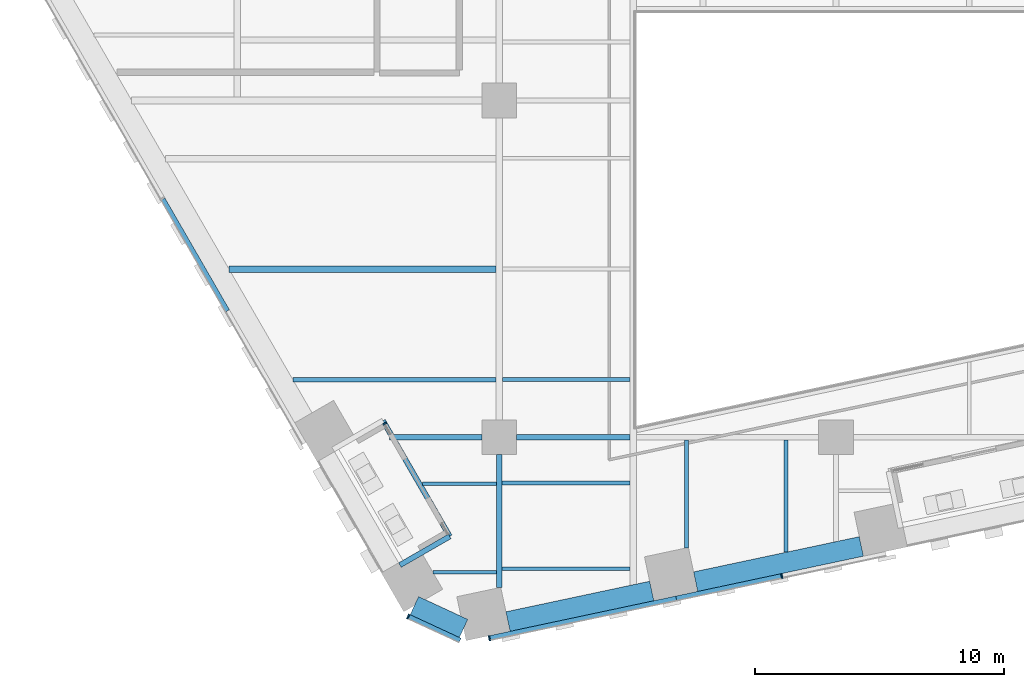
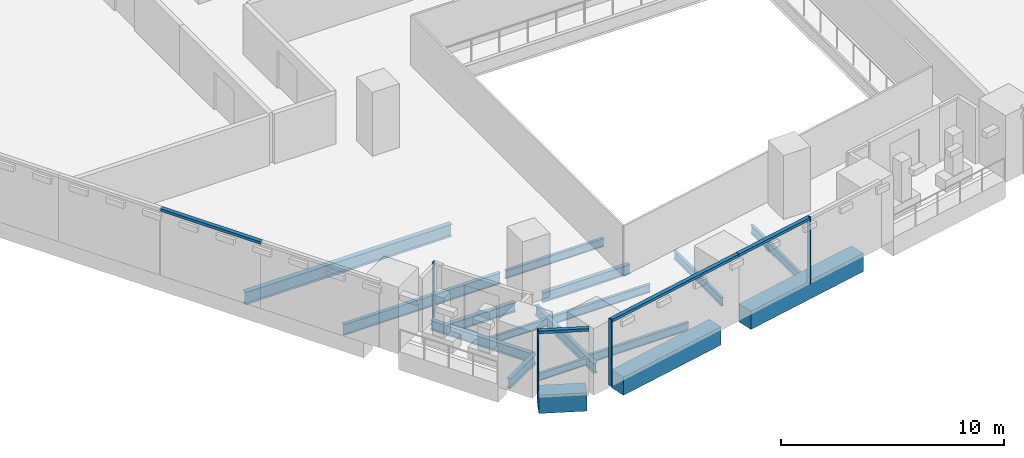
# One storey, part 2 of 31: 17 beams, 8 members, 4 elements without a shape of their own.
"""IFC4 building model written with IfcOpenShell, lengths in metres."""

import ifcopenshell
import ifcopenshell.guid

model = None  # the IFC model being written
_history = None  # IfcOwnerHistory: only IFC2X3 demands one
_inside = {}  # id of a spatial element -> (the spatial element, [elements in it])
_under = {}  # id of a project, library or spatial element -> (it, [spatial elements below it])
_declared = {}  # id of a project -> (the project, [libraries it declares])
_typed = {}  # id of a type object -> (the type object, [elements of that type])
_made_of = {}  # id of a material, layer set ... -> (it, [elements and type objects made of it])


def new_model(schema):
    """Start an empty IFC model of exactly this schema.

    Asked for "IFC4X3", IfcOpenShell would pick the latest addendum, in which some entities
    have other attributes; the version numbers below select the first issue.
    IFC2X3 requires an IfcOwnerHistory on every rooted entity: one is made here for all.
    """
    global model, _history
    if schema == "IFC4X3":
        model = ifcopenshell.file(schema_version=(4, 3, 0, 0))
    else:
        model = ifcopenshell.file(schema=schema)
    _inside.clear()
    _under.clear()
    _declared.clear()
    _typed.clear()
    _made_of.clear()
    _history = None
    if model.schema == "IFC2X3":
        org = make("IfcOrganization", Name="unknown")
        user = make(
            "IfcPersonAndOrganization",
            ThePerson=make("IfcPerson", FamilyName="unknown"),
            TheOrganization=org,
        )
        app = make(
            "IfcApplication",
            ApplicationDeveloper=org,
            Version="unknown",
            ApplicationFullName="unknown",
            ApplicationIdentifier="unknown",
        )
        _history = make(
            "IfcOwnerHistory",
            OwningUser=user,
            OwningApplication=app,
            ChangeAction="ADDED",
            CreationDate=0,
        )
    return model


def make(cls, **values):
    """One entity of the class cls with the attributes given. An attribute that is None is left unset."""
    return model.create_entity(
        cls, **{name: value for name, value in values.items() if value is not None}
    )


def rooted(cls, **values):
    """An entity with a GlobalId (a new one), such as an element, a storey or a relation."""
    return make(cls, GlobalId=ifcopenshell.guid.new(), OwnerHistory=_history, **values)


def si_unit(unit_type, name, prefix=None):
    """IfcSIUnit, for example si_unit("LENGTHUNIT", "METRE", prefix="MILLI")."""
    return make("IfcSIUnit", UnitType=unit_type, Prefix=prefix, Name=name)


def assignment(units):
    """IfcUnitAssignment: the units of a project."""
    return None if units is None else make("IfcUnitAssignment", Units=units)


def point(xyz):
    """IfcCartesianPoint."""
    return None if xyz is None else make("IfcCartesianPoint", Coordinates=xyz)


def direction(xyz):
    """IfcDirection."""
    return None if xyz is None else make("IfcDirection", DirectionRatios=xyz)


def frame(location, z_axis=None, x_axis=None):
    """IfcAxis2Placement3D, a coordinate frame: its origin and axes. An axis left out is left unset."""
    return make(
        "IfcAxis2Placement3D",
        Location=point(location),
        Axis=direction(z_axis),
        RefDirection=direction(x_axis),
    )


def frame_2d(location, x_axis=None):
    """IfcAxis2Placement2D, a coordinate frame in the plane: its origin and x axis."""
    return make(
        "IfcAxis2Placement2D", Location=point(location), RefDirection=direction(x_axis)
    )


def origin():
    """The frame at (0, 0, 0) with its axes left unset."""
    return frame((0.0, 0.0, 0.0))


def origin_2d():
    """The frame at (0, 0) in the plane with its x axis left unset."""
    return frame_2d((0.0, 0.0))


def place(relative_to, where):
    """IfcLocalPlacement: puts the frame where relative to a parent placement (None: the world)."""
    return make(
        "IfcLocalPlacement", PlacementRelTo=relative_to, RelativePlacement=where
    )


def context(
    kind, dimensions, precision=None, world=None, true_north=None, identifier=None
):
    """IfcGeometricRepresentationContext, for example the 3D "Model" context."""
    return make(
        "IfcGeometricRepresentationContext",
        ContextIdentifier=identifier,
        ContextType=kind,
        CoordinateSpaceDimension=dimensions,
        Precision=precision,
        WorldCoordinateSystem=world,
        TrueNorth=true_north,
    )


def subcontext(parent, identifier, kind, view, scale=None):
    """IfcGeometricRepresentationSubContext, for example "Body" below "Model"."""
    return make(
        "IfcGeometricRepresentationSubContext",
        ContextIdentifier=identifier,
        ContextType=kind,
        ParentContext=parent,
        TargetScale=scale,
        TargetView=view,
    )


def project(units=None, contexts=None):
    """IfcProject with its units and contexts."""
    return rooted(
        "IfcProject",
        Name="project",
        RepresentationContexts=contexts,
        UnitsInContext=assignment(units),
    )


def spatial(cls, under=None, at=None, **own):
    """A site, building, storey or space (cls), placed at a placement, below another one or the project."""
    s = rooted(cls, ObjectPlacement=at, **own)
    if under is not None:
        _under.setdefault(under.id(), (under, []))[1].append(s)
    return s


def profile(cls, at=None, kind="AREA", **sizes):
    """A parametric profile (cls). Its sizes go by their IFC names, for example OverallWidth=200.0."""
    return make(cls, ProfileType=kind, Position=at, **sizes)


def rectangle(**sizes):
    """IfcRectangleProfileDef."""
    return profile("IfcRectangleProfileDef", **sizes)


def i_section(**sizes):
    """IfcIShapeProfileDef."""
    return profile("IfcIShapeProfileDef", **sizes)


def extrude(swept, where, along, depth):
    """IfcExtrudedAreaSolid: the profile swept, set in the frame where, extruded along a direction by depth."""
    return make(
        "IfcExtrudedAreaSolid",
        SweptArea=swept,
        Position=where,
        ExtrudedDirection=direction(along),
        Depth=depth,
    )


def shape(context_of_items, identifier, shape_type, items):
    """IfcShapeRepresentation: the items that make up one representation, for example the "Body"."""
    return make(
        "IfcShapeRepresentation",
        ContextOfItems=context_of_items,
        RepresentationIdentifier=identifier,
        RepresentationType=shape_type,
        Items=items,
    )


def material(Name=None, Category=None):
    """IfcMaterial."""
    return make("IfcMaterial", Name=Name, Category=Category)


def layer(
    of_material, thickness, ventilated=None, Name=None, Category=None, Priority=None
):
    """IfcMaterialLayer: one layer of a wall or slab, of a material (None: an air gap)."""
    return make(
        "IfcMaterialLayer",
        Material=of_material,
        LayerThickness=thickness,
        IsVentilated=ventilated,
        Name=Name,
        Category=Category,
        Priority=Priority,
    )


def layer_set(layers, Name=None):
    """IfcMaterialLayerSet."""
    return make("IfcMaterialLayerSet", MaterialLayers=layers, LayerSetName=Name)


def material_profile(
    of_material, cross_section, Name=None, Category=None, Priority=None
):
    """IfcMaterialProfile: a cross section and its material."""
    return make(
        "IfcMaterialProfile",
        Name=Name,
        Material=of_material,
        Profile=cross_section,
        Priority=Priority,
        Category=Category,
    )


def profile_set(profiles, Name=None, composite=None):
    """IfcMaterialProfileSet."""
    return make(
        "IfcMaterialProfileSet",
        Name=Name,
        MaterialProfiles=profiles,
        CompositeProfile=composite,
    )


def made_of(thing, what):
    """Note that an element or type object is made of a material, layer set ...; save() writes the relation."""
    if what is not None:
        _made_of.setdefault(what.id(), (what, []))[1].append(thing)
    return thing


def type_object(cls, material=None, **own):
    """A type object (cls), such as IfcWallType, which elements share."""
    return made_of(rooted(cls, **own), material)


def element(
    cls,
    number,
    at=None,
    inside=None,
    cuts=None,
    type_object=None,
    material=None,
    context=None,
    identifier="Body",
    shape_type=None,
    held_by="IfcProductDefinitionShape",
    body=None,
    shapes=None,
    **own,
):
    """One element of the class cls, such as IfcWall. Its Tag is "e" and its number.

    at: its placement. inside: the storey or other place that contains it. cuts: it is an
    opening in that element (IfcRelVoidsElement). A single representation is given by context,
    identifier, shape_type and body (its items); several are given by shapes. held_by: the class
    of the entity that holds the representations. save() writes the other relations.
    """
    e = rooted(cls, Tag="e%d" % number, ObjectPlacement=at, **own)
    if body is not None:
        shapes = [shape(context, identifier, shape_type, body)]
    if shapes is not None:
        e.Representation = make(held_by, Representations=shapes)
    if inside is not None:
        _inside.setdefault(inside.id(), (inside, []))[1].append(e)
    if cuts is not None:
        rooted(
            "IfcRelVoidsElement", RelatingBuildingElement=cuts, RelatedOpeningElement=e
        )
    if type_object is not None:
        _typed.setdefault(type_object.id(), (type_object, []))[1].append(e)
    return made_of(e, material)


def aggregate(whole, parts):
    """IfcRelAggregates: a whole, such as a stair, and the parts it consists of."""
    return rooted("IfcRelAggregates", RelatingObject=whole, RelatedObjects=parts)


def save(model, path):
    """Write the relations noted so far, then the file.

    IfcRelAggregates (storeys below a building ...), IfcRelContainedInSpatialStructure (elements
    in a storey), IfcRelDefinesByType, IfcRelAssociatesMaterial and IfcRelDeclares: one each for
    every whole, place, type object, material and project.
    """
    for whole, parts in _under.values():
        aggregate(whole, parts)
    for where, things in _inside.values():
        rooted(
            "IfcRelContainedInSpatialStructure",
            RelatedElements=things,
            RelatingStructure=where,
        )
    for kind, things in _typed.values():
        rooted("IfcRelDefinesByType", RelatedObjects=things, RelatingType=kind)
    for what, things in _made_of.values():
        rooted("IfcRelAssociatesMaterial", RelatedObjects=things, RelatingMaterial=what)
    for by, libraries in _declared.values():
        rooted("IfcRelDeclares", RelatingContext=by, RelatedDefinitions=libraries)
    model.write(path)


model = new_model("IFC4")

# Units and contexts
model_context = context("Model", 3, precision=1e-05, world=origin(), true_north=direction((0.0, 1.0)))
body_context = subcontext(model_context, "Body", "Model", "MODEL_VIEW")
ifc_project = project(units=[si_unit("LENGTHUNIT", "METRE"), si_unit("AREAUNIT", "SQUARE_METRE"), si_unit("VOLUMEUNIT", "CUBIC_METRE"), si_unit("PLANEANGLEUNIT", "RADIAN"), si_unit("MASSUNIT", "GRAM", prefix="KILO")], contexts=[model_context])

# Site, building, storey
site_placement = place(None, origin())
site = spatial("IfcSite", under=ifc_project, at=site_placement, CompositionType="ELEMENT")
building_placement = place(site_placement, origin())
building = spatial("IfcBuilding", under=site, at=building_placement, Name="Isthmus Gate Tower", CompositionType="ELEMENT")
storey_placement = place(building_placement, frame((0.0, 0.0, 39.64990234375)))
storey = spatial("IfcBuildingStorey", under=building, at=storey_placement, Name="L07", CompositionType="ELEMENT", Elevation=39.64990234375)

# Curtain wall, member
ifc_material_1 = material(Name="Aluminium, pale champagne anodised", Category="aluminium")
ifc_layer_1 = layer(ifc_material_1, 0.199951171875)
ifc_layer_set_1 = layer_set([ifc_layer_1], Name="CW-1 UNITISED CURTAIN WALL 200 DEEP")
curtain_wall_type_1 = type_object("IfcCurtainWallType", Name="CW-1 UNITISED CURTAIN WALL 200 DEEP", PredefinedType="NOTDEFINED", material=ifc_layer_set_1)
curtain_wall_1_placement = place(storey_placement, origin())
curtain_wall_1 = element("IfcCurtainWall", 1, at=curtain_wall_1_placement, inside=storey, type_object=curtain_wall_type_1, Name="CW-1 SW-S L07", PredefinedType="NOTDEFINED")
ifc_material_2 = material(Name="Aluminium, pale champagne anodised", Category="aluminium")
ifc_material_profile_1 = material_profile(ifc_material_2, rectangle(XDim=0.06005859375, YDim=0.199951171875, at=origin_2d()), Name="60x200")
ifc_profile_set_1 = profile_set([ifc_material_profile_1], Name="Aluminium, pale champagne anodised")
member_type_1 = type_object("IfcMemberType", Name="CW-1 MULLION 60 X 200", PredefinedType="MULLION", material=ifc_profile_set_1)
member_1_placement = place(storey_placement, frame((-17.14794921875, -34.184814453125, 0.0), z_axis=(0.0, 0.0, 1.0), x_axis=(0.907256261367, -0.420578264073, 0.0)))
member_1 = element("IfcMember", 2, at=member_1_placement, type_object=member_type_1, Name="CW-1 mullion", PredefinedType="MULLION", context=body_context, shape_type="SweptSolid", body=[
    extrude(rectangle(XDim=0.06005859375, YDim=0.199951171875, at=origin_2d()), origin(), (0.0, 0.0, 1.0), 3.650146484375),
])

# Curtain wall, members
curtain_wall_2_placement = place(storey_placement, origin())
curtain_wall_2 = element("IfcCurtainWall", 3, at=curtain_wall_2_placement, inside=storey, type_object=curtain_wall_type_1, Name="CW-1 S L07", PredefinedType="NOTDEFINED")
member_2_placement = place(storey_placement, frame((-13.89501953125, -35.0556640625, 0.0), z_axis=(0.0, 0.0, 1.0), x_axis=(0.978147600734, 0.207911690818, 0.0)))
member_2 = element("IfcMember", 4, at=member_2_placement, type_object=member_type_1, Name="CW-1 mullion", PredefinedType="MULLION", context=body_context, shape_type="SweptSolid", body=[
    extrude(rectangle(XDim=0.06005859375, YDim=0.199951171875, at=origin_2d()), origin(), (0.0, 0.0, 1.0), 3.650146484375),
])
member_3_placement = place(storey_placement, frame((-2.1728515625, -32.564208984375, 0.0), z_axis=(0.0, 0.0, 1.0), x_axis=(0.978147600734, 0.207911690818, 0.0)))
member_3 = element("IfcMember", 5, at=member_3_placement, type_object=member_type_1, Name="CW-1 mullion", PredefinedType="MULLION", context=body_context, shape_type="SweptSolid", body=[
    extrude(rectangle(XDim=0.06005859375, YDim=0.199951171875, at=origin_2d()), origin(), (0.0, 0.0, 1.0), 3.650146484375),
])

# Curtain wall, member
curtain_wall_3_placement = place(storey_placement, origin())
curtain_wall_3 = element("IfcCurtainWall", 6, at=curtain_wall_3_placement, inside=storey, type_object=curtain_wall_type_1, Name="CW-1 SW L07", PredefinedType="NOTDEFINED")
ifc_material_3 = material(Name="Aluminium, pale champagne anodised", Category="aluminium")
ifc_material_profile_2 = material_profile(ifc_material_3, rectangle(XDim=0.199951171875, YDim=0.14990234375, at=origin_2d()), Name="200x150")
ifc_profile_set_2 = profile_set([ifc_material_profile_2], Name="Aluminium, pale champagne anodised")
member_type_2 = type_object("IfcMemberType", Name="CW-1 TRANSOM 200 X 150", PredefinedType="USERDEFINED", material=ifc_profile_set_2)
member_4_placement = place(storey_placement, frame((-26.98681640625, -17.45751953125, 3.5751953125), z_axis=(0.49999612508, -0.866027640959, 0.0), x_axis=(0.866027640959, 0.49999612508, 0.0)))
member_4 = element("IfcMember", 7, at=member_4_placement, type_object=member_type_2, Name="CW-1 transom", ObjectType="TRANSOM", PredefinedType="USERDEFINED", context=body_context, shape_type="SweptSolid", body=[
    extrude(rectangle(XDim=0.199951171875, YDim=0.14990234375, at=origin_2d()), origin(), (0.0, 0.0, 1.0), 5.173828125),
])
aggregate(curtain_wall_3, [member_4])

# Member
member_5_placement = place(storey_placement, frame((-17.120849609375, -34.197509765625, 3.5751953125), z_axis=(0.907246225564, -0.420599912268, 0.0), x_axis=(0.420599912268, 0.907246225564, 0.0)))
member_5 = element("IfcMember", 8, at=member_5_placement, type_object=member_type_2, Name="CW-1 transom", ObjectType="TRANSOM", PredefinedType="USERDEFINED", context=body_context, shape_type="SweptSolid", body=[
    extrude(rectangle(XDim=0.199951171875, YDim=0.14990234375, at=origin_2d()), origin(), (0.0, 0.0, 1.0), 2.258544921875),
])

aggregate(curtain_wall_1, [member_1, member_5])

member_6_placement = place(storey_placement, frame((-13.86572265625, -35.049560546875, 3.5751953125), z_axis=(0.978149009137, 0.20790506469, 0.0), x_axis=(-0.20790506469, 0.978149009137, 0.0)))
member_6 = element("IfcMember", 9, at=member_6_placement, type_object=member_type_2, Name="CW-1 transom", ObjectType="TRANSOM", PredefinedType="USERDEFINED", context=body_context, shape_type="SweptSolid", body=[
    extrude(rectangle(XDim=0.199951171875, YDim=0.14990234375, at=origin_2d()), origin(), (0.0, 0.0, 1.0), 7.62939453125),
])

member_7_placement = place(storey_placement, frame((-6.403076171875, -33.46337890625, 3.5751953125), z_axis=(0.97813890815, 0.207952582007, 0.0), x_axis=(-0.207952582007, 0.97813890815, 0.0)))
member_7 = element("IfcMember", 10, at=member_7_placement, type_object=member_type_2, Name="CW-1 transom", ObjectType="TRANSOM", PredefinedType="USERDEFINED", context=body_context, shape_type="SweptSolid", body=[
    extrude(rectangle(XDim=0.199951171875, YDim=0.14990234375, at=origin_2d()), origin(), (0.0, 0.0, 1.0), 4.294677734375),
])

aggregate(curtain_wall_2, [member_2, member_6, member_7, member_3])

# Curtain wall, member
ifc_material_4 = material(Name="Aluminium, pale champagne anodised", Category="aluminium")
ifc_layer_2 = layer(ifc_material_4, 0.14990234375)
ifc_layer_set_2 = layer_set([ifc_layer_2], Name="CW-6 LOGGIA BACK WALL GLAZING 150 DEEP")
curtain_wall_type_2 = type_object("IfcCurtainWallType", Name="CW-6 LOGGIA BACK WALL GLAZING 150 DEEP", PredefinedType="NOTDEFINED", material=ifc_layer_set_2)
curtain_wall_4_placement = place(storey_placement, origin())
curtain_wall_4 = element("IfcCurtainWall", 11, at=curtain_wall_4_placement, inside=storey, type_object=curtain_wall_type_2, Name="CW-6 SW L07", PredefinedType="NOTDEFINED")
ifc_material_5 = material(Name="Aluminium, pale champagne anodised", Category="aluminium")
ifc_material_profile_3 = material_profile(ifc_material_5, rectangle(XDim=0.06005859375, YDim=0.14990234375, at=origin_2d()), Name="60x150")
ifc_profile_set_3 = profile_set([ifc_material_profile_3], Name="Aluminium, pale champagne anodised")
member_type_3 = type_object("IfcMemberType", Name="CW-6 MULLION 60 X 150", PredefinedType="MULLION", material=ifc_profile_set_3)
member_8_placement = place(storey_placement, frame((-18.096923828125, -26.455322265625, 0.0), z_axis=(0.0, 0.0, 1.0), x_axis=(0.5, -0.866025403784, 0.0)))
member_8 = element("IfcMember", 12, at=member_8_placement, type_object=member_type_3, Name="CW-6 mullion", PredefinedType="MULLION", context=body_context, shape_type="SweptSolid", body=[
    extrude(rectangle(XDim=0.06005859375, YDim=0.14990234375, at=origin_2d()), origin(), (0.0, 0.0, 1.0), 3.050048828125),
])
aggregate(curtain_wall_4, [member_8])

# Beams
ifc_material_6 = material(Name="Concrete f'c 70 MPa", Category="concrete")
ifc_material_profile_4 = material_profile(ifc_material_6, rectangle(XDim=0.800048828125, YDim=1.0, at=origin_2d()), Name="RC 800X1000")
ifc_profile_set_4 = profile_set([ifc_material_profile_4], Name="Concrete f'c 70 MPa")
beam_type_1 = type_object("IfcBeamType", Name="RC SPANDREL 800 X 1000", PredefinedType="SPANDREL", material=ifc_profile_set_4)
beam_1_placement = place(storey_placement, frame((1.01416015625, -31.37548828125, -0.5), z_axis=(-0.978145779981, -0.207920256603, 0.0), x_axis=(0.207920256603, -0.978145779981, 0.0)))
element("IfcBeam", 13, at=beam_1_placement, inside=storey, type_object=beam_type_1, Name="str-spandrel-L07-12", PredefinedType="SPANDREL", context=body_context, shape_type="SweptSolid", body=[
    extrude(rectangle(XDim=0.800048828125, YDim=1.0, at=origin_2d()), origin(), (0.0, 0.0, 1.0), 6.789306640625),
])
beam_2_placement = place(storey_placement, frame((-7.387451171875, -33.161376953125, -0.5), z_axis=(-0.978149894464, -0.207900899374, 0.0), x_axis=(0.207900899374, -0.978149894464, 0.0)))
element("IfcBeam", 14, at=beam_2_placement, inside=storey, type_object=beam_type_1, Name="str-spandrel-L07-13", PredefinedType="SPANDREL", context=body_context, shape_type="SweptSolid", body=[
    extrude(rectangle(XDim=0.800048828125, YDim=1.0, at=origin_2d()), origin(), (0.0, 0.0, 1.0), 5.88916015625),
])
beam_3_placement = place(storey_placement, frame((-14.929443359375, -34.662109375, -0.5), z_axis=(-0.907290744498, 0.420503870314, 0.0), x_axis=(-0.420503870314, -0.907290744498, 0.0)))
element("IfcBeam", 15, at=beam_3_placement, inside=storey, type_object=beam_type_1, Name="str-spandrel-L07-14", PredefinedType="SPANDREL", context=body_context, shape_type="SweptSolid", body=[
    extrude(rectangle(XDim=0.800048828125, YDim=1.0, at=origin_2d()), origin(), (0.0, 0.0, 1.0), 2.173095703125),
])
ifc_material_7 = material(Name="Structural steel ASTM A992 Gr 50", Category="steel")
ifc_material_profile_5 = material_profile(ifc_material_7, i_section(OverallWidth=0.1396484375, OverallDepth=0.4033203125, WebThickness=0.00634765625, FlangeThickness=0.010986328125, at=origin_2d()), Name="W16X31")
ifc_profile_set_5 = profile_set([ifc_material_profile_5], Name="Structural steel ASTM A992 Gr 50")
beam_type_2 = type_object("IfcBeamType", Name="STEEL FLOOR BEAM W16X31", PredefinedType="JOIST", material=ifc_profile_set_5)
beam_4_placement = place(storey_placement, frame((-16.162353515625, -32.406005859375, -0.3515625), z_axis=(1.0, 0.0, 0.0), x_axis=(0.0, 1.0, 0.0)))
element("IfcBeam", 16, at=beam_4_placement, inside=storey, type_object=beam_type_2, Name="str-beam-L07-11-00", PredefinedType="JOIST", context=body_context, shape_type="SweptSolid", body=[
    extrude(i_section(OverallWidth=0.1396484375, OverallDepth=0.4033203125, WebThickness=0.00634765625, FlangeThickness=0.010986328125, at=origin_2d()), origin(), (0.0, 0.0, 1.0), 2.5576171875),
])
beam_5_placement = place(storey_placement, frame((-16.5751953125, -28.871826171875, -0.3515625), z_axis=(1.0, 0.0, 0.0), x_axis=(0.0, 1.0, 0.0)))
element("IfcBeam", 17, at=beam_5_placement, inside=storey, type_object=beam_type_2, Name="str-beam-L07-11-01", PredefinedType="JOIST", context=body_context, shape_type="SweptSolid", body=[
    extrude(i_section(OverallWidth=0.1396484375, OverallDepth=0.4033203125, WebThickness=0.00634765625, FlangeThickness=0.010986328125, at=origin_2d()), origin(), (0.0, 0.0, 1.0), 2.970458984375),
])
ifc_material_8 = material(Name="Structural steel ASTM A992 Gr 50", Category="steel")
ifc_material_profile_6 = material_profile(ifc_material_8, i_section(OverallWidth=0.15234375, OverallDepth=0.45068359375, WebThickness=0.0078125, FlangeThickness=0.010986328125, at=origin_2d()), Name="W18X35")
ifc_profile_set_6 = profile_set([ifc_material_profile_6], Name="Structural steel ASTM A992 Gr 50")
beam_type_3 = type_object("IfcBeamType", Name="STEEL FLOOR BEAM W18X35", PredefinedType="JOIST", material=ifc_profile_set_6)
for number, where, z_axis, x_axis, name in (
    (18, (-13.395263671875, -32.27197265625, -0.375244140625), (1.0, 0.0, 0.0), (0.0, 1.0, 0.0), "str-beam-L07-12-00"),
    (19, (-13.395263671875, -28.8271484375, -0.375244140625), (1.0, 0.0, 0.0), (0.0, 1.0, 0.0), "str-beam-L07-12-01"),
):
    element("IfcBeam", number, at=place(storey_placement, frame(where, z_axis=z_axis, x_axis=x_axis)), inside=storey, type_object=beam_type_3, Name=name, PredefinedType="JOIST", context=body_context, shape_type="SweptSolid", body=[
        extrude(i_section(OverallWidth=0.15234375, OverallDepth=0.45068359375, WebThickness=0.0078125, FlangeThickness=0.010986328125, at=origin_2d()), origin(), (0.0, 0.0, 1.0), 5.128662109375),
    ])
beam_6_placement = place(storey_placement, frame((-13.3681640625, -24.68017578125, -0.375244140625), z_axis=(1.0, 0.0, 0.0), x_axis=(0.0, 1.0, 0.0)))
element("IfcBeam", 20, at=beam_6_placement, inside=storey, type_object=beam_type_3, Name="str-beam-L07-14-00", PredefinedType="JOIST", context=body_context, shape_type="SweptSolid", body=[
    extrude(i_section(OverallWidth=0.15234375, OverallDepth=0.45068359375, WebThickness=0.0078125, FlangeThickness=0.010986328125, at=origin_2d()), origin(), (0.0, 0.0, 1.0), 5.1015625),
])
beam_7_placement = place(storey_placement, frame((-6.0, -31.43505859375, -0.375244140625), z_axis=(0.0, 1.0, 0.0), x_axis=(-1.0, 0.0, 0.0)))
element("IfcBeam", 21, at=beam_7_placement, inside=storey, type_object=beam_type_3, Name="str-beam-L07-17-00", PredefinedType="JOIST", context=body_context, shape_type="SweptSolid", body=[
    extrude(i_section(OverallWidth=0.15234375, OverallDepth=0.45068359375, WebThickness=0.0078125, FlangeThickness=0.010986328125, at=origin_2d()), origin(), (0.0, 0.0, 1.0), 4.32080078125),
])
beam_8_placement = place(storey_placement, frame((-2.0, -31.607177734375, -0.375244140625), z_axis=(0.0, 1.0, 0.0), x_axis=(-1.0, 0.0, 0.0)))
element("IfcBeam", 22, at=beam_8_placement, inside=storey, type_object=beam_type_3, Name="str-beam-L07-17-01", PredefinedType="JOIST", context=body_context, shape_type="SweptSolid", body=[
    extrude(i_section(OverallWidth=0.15234375, OverallDepth=0.45068359375, WebThickness=0.0078125, FlangeThickness=0.010986328125, at=origin_2d()), origin(), (0.0, 0.0, 1.0), 4.492919921875),
])
ifc_material_9 = material(Name="Structural steel ASTM A992 Gr 50", Category="steel")
ifc_material_profile_7 = material_profile(ifc_material_9, i_section(OverallWidth=0.177734375, OverallDepth=0.60009765625, WebThickness=0.009521484375, FlangeThickness=0.0126953125, at=origin_2d()), Name="W24X55")
ifc_profile_set_7 = profile_set([ifc_material_profile_7], Name="Structural steel ASTM A992 Gr 50")
beam_type_4 = type_object("IfcBeamType", Name="STEEL FLOOR BEAM W24X55", PredefinedType="JOIST", material=ifc_profile_set_7)
beam_9_placement = place(storey_placement, frame((-21.7734375, -24.687255859375, -0.449951171875), z_axis=(1.0, 0.0, 0.0), x_axis=(0.0, 1.0, 0.0)))
element("IfcBeam", 23, at=beam_9_placement, inside=storey, type_object=beam_type_4, Name="str-beam-L07-05-00", PredefinedType="JOIST", context=body_context, shape_type="SweptSolid", body=[
    extrude(i_section(OverallWidth=0.177734375, OverallDepth=0.60009765625, WebThickness=0.009521484375, FlangeThickness=0.0126953125, at=origin_2d()), origin(), (0.0, 0.0, 1.0), 8.1416015625),
])
ifc_material_10 = material(Name="Structural steel ASTM A992 Gr 50", Category="steel")
ifc_material_profile_8 = material_profile(ifc_material_10, i_section(OverallWidth=0.25390625, OverallDepth=0.679443359375, WebThickness=0.010986328125, FlangeThickness=0.015869140625, at=origin_2d()), Name="W27X84")
ifc_profile_set_8 = profile_set([ifc_material_profile_8], Name="Structural steel ASTM A992 Gr 50")
beam_type_5 = type_object("IfcBeamType", Name="STEEL FLOOR BEAM W27X84", PredefinedType="JOIST", material=ifc_profile_set_8)
beam_10_placement = place(storey_placement, frame((-24.326171875, -20.265625, -0.489501953125), z_axis=(1.0, 0.0, 0.0), x_axis=(0.0, 1.0, 0.0)))
element("IfcBeam", 24, at=beam_10_placement, inside=storey, type_object=beam_type_5, Name="str-beam-L07-05-01", PredefinedType="JOIST", context=body_context, shape_type="SweptSolid", body=[
    extrude(i_section(OverallWidth=0.25390625, OverallDepth=0.679443359375, WebThickness=0.010986328125, FlangeThickness=0.015869140625, at=origin_2d()), origin(), (0.0, 0.0, 1.0), 10.6943359375),
])
ifc_material_11 = material(Name="Structural steel ASTM A992 Gr 50", Category="steel")
ifc_material_profile_9 = material_profile(ifc_material_11, i_section(OverallWidth=0.20947265625, OverallDepth=0.533447265625, WebThickness=0.009521484375, FlangeThickness=0.015869140625, at=origin_2d()), Name="W21X62")
ifc_profile_set_9 = profile_set([ifc_material_profile_9], Name="Structural steel ASTM A992 Gr 50")
beam_type_6 = type_object("IfcBeamType", Name="STEEL GIRDER W21X62", PredefinedType="BEAM", material=ifc_profile_set_9)
beam_11_placement = place(storey_placement, frame((-17.89794921875, -27.0, -0.41650390625), z_axis=(1.0, 0.0, 0.0), x_axis=(0.0, 1.0, 0.0)))
element("IfcBeam", 25, at=beam_11_placement, inside=storey, type_object=beam_type_6, Name="str-girder-L07-01", PredefinedType="BEAM", context=body_context, shape_type="SweptSolid", body=[
    extrude(i_section(OverallWidth=0.20947265625, OverallDepth=0.533447265625, WebThickness=0.009521484375, FlangeThickness=0.015869140625, at=origin_2d()), origin(), (0.0, 0.0, 1.0), 3.697998046875),
])
beam_12_placement = place(storey_placement, frame((-12.800048828125, -27.0, -0.41650390625), z_axis=(1.0, 0.0, 0.0), x_axis=(0.0, 1.0, 0.0)))
element("IfcBeam", 26, at=beam_12_placement, inside=storey, type_object=beam_type_6, Name="str-girder-L07-02", PredefinedType="BEAM", context=body_context, shape_type="SweptSolid", body=[
    extrude(i_section(OverallWidth=0.20947265625, OverallDepth=0.533447265625, WebThickness=0.009521484375, FlangeThickness=0.015869140625, at=origin_2d()), origin(), (0.0, 0.0, 1.0), 4.533447265625),
])
beam_13_placement = place(storey_placement, frame((-13.5, -33.029296875, -0.41650390625), z_axis=(0.0, 1.0, 0.0), x_axis=(-1.0, 0.0, 0.0)))
element("IfcBeam", 27, at=beam_13_placement, inside=storey, type_object=beam_type_6, Name="str-girder-L07-23", PredefinedType="BEAM", context=body_context, shape_type="SweptSolid", body=[
    extrude(i_section(OverallWidth=0.20947265625, OverallDepth=0.533447265625, WebThickness=0.009521484375, FlangeThickness=0.015869140625, at=origin_2d()), origin(), (0.0, 0.0, 1.0), 5.329345703125),
])
ifc_material_12 = material(Name="Structural steel ASTM A992 Gr 50", Category="steel")
ifc_material_profile_10 = material_profile(ifc_material_12, i_section(OverallWidth=0.20947265625, OverallDepth=0.533447265625, WebThickness=0.009521484375, FlangeThickness=0.015869140625, at=origin_2d()), Name="W21X62")
ifc_profile_set_10 = profile_set([ifc_material_profile_10], Name="Structural steel ASTM A992 Gr 50")
beam_type_7 = type_object("IfcBeamType", Name="STEEL TRIMMER W21X62", PredefinedType="BEAM", material=ifc_profile_set_10)
beam_14_placement = place(storey_placement, frame((-18.16015625, -26.33642578125, -0.41650390625), z_axis=(0.500009341406, -0.866020010454, 0.0), x_axis=(0.866020010454, 0.500009341406, 0.0)))
element("IfcBeam", 28, at=beam_14_placement, inside=storey, type_object=beam_type_7, Name="str-loggiatrim-L07-03-B", PredefinedType="BEAM", context=body_context, shape_type="SweptSolid", body=[
    extrude(i_section(OverallWidth=0.20947265625, OverallDepth=0.533447265625, WebThickness=0.009521484375, FlangeThickness=0.015869140625, at=origin_2d()), origin(), (0.0, 0.0, 1.0), 5.35302734375),
])
beam_15_placement = place(storey_placement, frame((-17.4794921875, -32.12451171875, -0.41650390625), z_axis=(0.866017993231, 0.500012835235, 0.0), x_axis=(-0.500012835235, 0.866017993231, 0.0)))
element("IfcBeam", 29, at=beam_15_placement, inside=storey, type_object=beam_type_7, Name="str-loggiatrim-L07-03-C", PredefinedType="BEAM", context=body_context, shape_type="SweptSolid", body=[
    extrude(i_section(OverallWidth=0.20947265625, OverallDepth=0.533447265625, WebThickness=0.009521484375, FlangeThickness=0.015869140625, at=origin_2d()), origin(), (0.0, 0.0, 1.0), 2.3046875),
])

save(model, "model.ifc")
